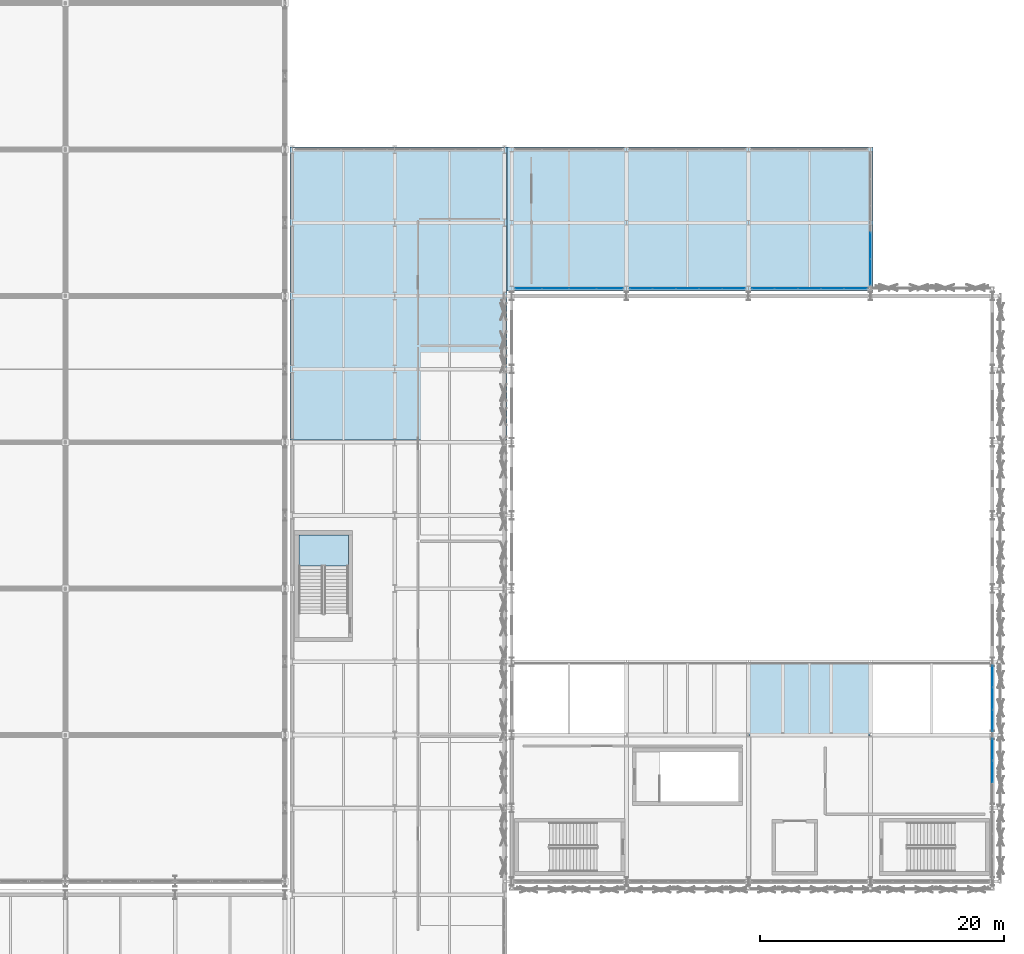
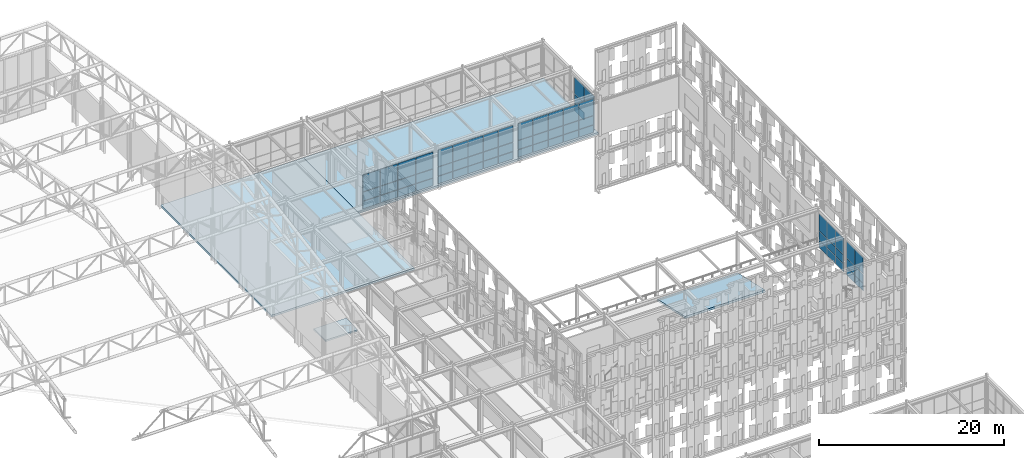
# One storey, part 196 of 239: 63 plates, 4 slabs, 7 elements without a shape of their own.
"""IFC4 building model written with IfcOpenShell, lengths in metres."""

from ifc_helpers import new_model, si_unit, direction, frame, origin, origin_2d, place, context, subcontext, project, spatial, polyline, rectangle, outline, extrude, material, layer, layer_set, type_object, element, aggregate, save


model = new_model("IFC4")

# Units and contexts
model_context = context("Model", 3, precision=1e-05, world=origin(), true_north=direction((0.0, 1.0)))
body_context = subcontext(model_context, "Body", "Model", "MODEL_VIEW")
ifc_project = project(units=[si_unit("LENGTHUNIT", "METRE"), si_unit("AREAUNIT", "SQUARE_METRE"), si_unit("VOLUMEUNIT", "CUBIC_METRE"), si_unit("PLANEANGLEUNIT", "RADIAN"), si_unit("MASSUNIT", "GRAM", prefix="KILO")], contexts=[model_context])

# Site, building, storey
site_placement = place(None, origin())
site = spatial("IfcSite", under=ifc_project, at=site_placement, CompositionType="ELEMENT")
building_placement = place(site_placement, origin())
building = spatial("IfcBuilding", under=site, at=building_placement, Name="Kaldris Quays Convention Centre", CompositionType="ELEMENT")
storey_placement = place(building_placement, frame((0.0, 0.0, 11.39990234375)))
storey = spatial("IfcBuildingStorey", under=building, at=storey_placement, Name="L02", CompositionType="ELEMENT", Elevation=11.39990234375)

# Curtain wall, plates
ifc_material_1 = material(Name="Anodized aluminium AW-6060 and triple glazing", Category="aluminium")
curtain_wall_type_1 = type_object("IfcCurtainWallType", Name="UNITISED CURTAIN WALL CW06", PredefinedType="NOTDEFINED", material=ifc_material_1)
curtain_wall_1_placement = place(storey_placement, origin())
curtain_wall_1 = element("IfcCurtainWall", 1, at=curtain_wall_1_placement, inside=storey, type_object=curtain_wall_type_1, Name="L02 Unitised Curtain Wall CW06 169", PredefinedType="NOTDEFINED")
ifc_material_2 = material(Name="Triple low-E insulated glazing", Category="glass")
plate_type_1 = type_object("IfcPlateType", Name="CURTAIN GLAZING PANEL CWP1", PredefinedType="CURTAIN_PANEL", material=ifc_material_2)
plate_1_placement = place(storey_placement, frame((175.215087890625, 104.60009765625, 0.06005859375), z_axis=(0.0, 0.0, 1.0), x_axis=(1.0, 0.0, 0.0)))
plate_1 = element("IfcPlate", 2, at=plate_1_placement, type_object=plate_type_1, Name="CW06 panel 1.1", PredefinedType="CURTAIN_PANEL", context=body_context, shape_type="SweptSolid", body=[
    extrude(rectangle(XDim=1.81005859375, YDim=0.029052734375, at=origin_2d()), origin(), (0.0, 0.0, 1.0), 0.9599609375),
])
plate_2_placement = place(storey_placement, frame((175.215087890625, 104.60009765625, 1.080078125), z_axis=(0.0, 0.0, 1.0), x_axis=(1.0, 0.0, 0.0)))
plate_2 = element("IfcPlate", 3, at=plate_2_placement, type_object=plate_type_1, Name="CW06 panel 1.2", PredefinedType="CURTAIN_PANEL", context=body_context, shape_type="SweptSolid", body=[
    extrude(rectangle(XDim=1.81005859375, YDim=0.029052734375, at=origin_2d()), origin(), (0.0, 0.0, 1.0), 1.1640625),
])
plate_3_placement = place(storey_placement, frame((175.215087890625, 104.60009765625, 2.303955078125), z_axis=(0.0, 0.0, 1.0), x_axis=(1.0, 0.0, 0.0)))
plate_3 = element("IfcPlate", 4, at=plate_3_placement, type_object=plate_type_1, Name="CW06 panel 1.3", PredefinedType="CURTAIN_PANEL", context=body_context, shape_type="SweptSolid", body=[
    extrude(rectangle(XDim=1.81005859375, YDim=0.029052734375, at=origin_2d()), origin(), (0.0, 0.0, 1.0), 2.18408203125),
])
plate_4_placement = place(storey_placement, frame((177.10009765625, 104.60009765625, 0.06005859375), z_axis=(0.0, 0.0, 1.0), x_axis=(1.0, 0.0, 0.0)))
plate_4 = element("IfcPlate", 5, at=plate_4_placement, type_object=plate_type_1, Name="CW06 panel 2.1", PredefinedType="CURTAIN_PANEL", context=body_context, shape_type="SweptSolid", body=[
    extrude(rectangle(XDim=1.840087890625, YDim=0.029052734375, at=origin_2d()), origin(), (0.0, 0.0, 1.0), 0.9599609375),
])
plate_5_placement = place(storey_placement, frame((177.10009765625, 104.60009765625, 1.080078125), z_axis=(0.0, 0.0, 1.0), x_axis=(1.0, 0.0, 0.0)))
plate_5 = element("IfcPlate", 6, at=plate_5_placement, type_object=plate_type_1, Name="CW06 panel 2.2", PredefinedType="CURTAIN_PANEL", context=body_context, shape_type="SweptSolid", body=[
    extrude(rectangle(XDim=1.840087890625, YDim=0.029052734375, at=origin_2d()), origin(), (0.0, 0.0, 1.0), 1.1640625),
])
plate_6_placement = place(storey_placement, frame((177.10009765625, 104.60009765625, 2.303955078125), z_axis=(0.0, 0.0, 1.0), x_axis=(1.0, 0.0, 0.0)))
plate_6 = element("IfcPlate", 7, at=plate_6_placement, type_object=plate_type_1, Name="CW06 panel 2.3", PredefinedType="CURTAIN_PANEL", context=body_context, shape_type="SweptSolid", body=[
    extrude(rectangle(XDim=1.840087890625, YDim=0.029052734375, at=origin_2d()), origin(), (0.0, 0.0, 1.0), 2.18408203125),
])
plate_7_placement = place(storey_placement, frame((179.0, 104.60009765625, 0.06005859375), z_axis=(0.0, 0.0, 1.0), x_axis=(1.0, 0.0, 0.0)))
plate_7 = element("IfcPlate", 8, at=plate_7_placement, type_object=plate_type_1, Name="CW06 panel 3.1", PredefinedType="CURTAIN_PANEL", context=body_context, shape_type="SweptSolid", body=[
    extrude(rectangle(XDim=1.840087890625, YDim=0.029052734375, at=origin_2d()), origin(), (0.0, 0.0, 1.0), 0.9599609375),
])
plate_8_placement = place(storey_placement, frame((179.0, 104.60009765625, 1.080078125), z_axis=(0.0, 0.0, 1.0), x_axis=(1.0, 0.0, 0.0)))
plate_8 = element("IfcPlate", 9, at=plate_8_placement, type_object=plate_type_1, Name="CW06 panel 3.2", PredefinedType="CURTAIN_PANEL", context=body_context, shape_type="SweptSolid", body=[
    extrude(rectangle(XDim=1.840087890625, YDim=0.029052734375, at=origin_2d()), origin(), (0.0, 0.0, 1.0), 1.1640625),
])
plate_9_placement = place(storey_placement, frame((179.0, 104.60009765625, 2.303955078125), z_axis=(0.0, 0.0, 1.0), x_axis=(1.0, 0.0, 0.0)))
plate_9 = element("IfcPlate", 10, at=plate_9_placement, type_object=plate_type_1, Name="CW06 panel 3.3", PredefinedType="CURTAIN_PANEL", context=body_context, shape_type="SweptSolid", body=[
    extrude(rectangle(XDim=1.840087890625, YDim=0.029052734375, at=origin_2d()), origin(), (0.0, 0.0, 1.0), 2.18408203125),
])
plate_10_placement = place(storey_placement, frame((180.89990234375, 104.60009765625, 0.06005859375), z_axis=(0.0, 0.0, 1.0), x_axis=(1.0, 0.0, 0.0)))
plate_10 = element("IfcPlate", 11, at=plate_10_placement, type_object=plate_type_1, Name="CW06 panel 4.1", PredefinedType="CURTAIN_PANEL", context=body_context, shape_type="SweptSolid", body=[
    extrude(rectangle(XDim=1.840087890625, YDim=0.029052734375, at=origin_2d()), origin(), (0.0, 0.0, 1.0), 0.9599609375),
])
plate_11_placement = place(storey_placement, frame((180.89990234375, 104.60009765625, 1.080078125), z_axis=(0.0, 0.0, 1.0), x_axis=(1.0, 0.0, 0.0)))
plate_11 = element("IfcPlate", 12, at=plate_11_placement, type_object=plate_type_1, Name="CW06 panel 4.2", PredefinedType="CURTAIN_PANEL", context=body_context, shape_type="SweptSolid", body=[
    extrude(rectangle(XDim=1.840087890625, YDim=0.029052734375, at=origin_2d()), origin(), (0.0, 0.0, 1.0), 1.1640625),
])
plate_12_placement = place(storey_placement, frame((180.89990234375, 104.60009765625, 2.303955078125), z_axis=(0.0, 0.0, 1.0), x_axis=(1.0, 0.0, 0.0)))
plate_12 = element("IfcPlate", 13, at=plate_12_placement, type_object=plate_type_1, Name="CW06 panel 4.3", PredefinedType="CURTAIN_PANEL", context=body_context, shape_type="SweptSolid", body=[
    extrude(rectangle(XDim=1.840087890625, YDim=0.029052734375, at=origin_2d()), origin(), (0.0, 0.0, 1.0), 2.18408203125),
])
plate_13_placement = place(storey_placement, frame((182.784912109375, 104.60009765625, 0.06005859375), z_axis=(0.0, 0.0, 1.0), x_axis=(1.0, 0.0, 0.0)))
plate_13 = element("IfcPlate", 14, at=plate_13_placement, type_object=plate_type_1, Name="CW06 panel 5.1", PredefinedType="CURTAIN_PANEL", context=body_context, shape_type="SweptSolid", body=[
    extrude(rectangle(XDim=1.81005859375, YDim=0.029052734375, at=origin_2d()), origin(), (0.0, 0.0, 1.0), 0.9599609375),
])
plate_14_placement = place(storey_placement, frame((182.784912109375, 104.60009765625, 1.080078125), z_axis=(0.0, 0.0, 1.0), x_axis=(1.0, 0.0, 0.0)))
plate_14 = element("IfcPlate", 15, at=plate_14_placement, type_object=plate_type_1, Name="CW06 panel 5.2", PredefinedType="CURTAIN_PANEL", context=body_context, shape_type="SweptSolid", body=[
    extrude(rectangle(XDim=1.81005859375, YDim=0.029052734375, at=origin_2d()), origin(), (0.0, 0.0, 1.0), 1.1640625),
])
plate_15_placement = place(storey_placement, frame((182.784912109375, 104.60009765625, 2.303955078125), z_axis=(0.0, 0.0, 1.0), x_axis=(1.0, 0.0, 0.0)))
plate_15 = element("IfcPlate", 16, at=plate_15_placement, type_object=plate_type_1, Name="CW06 panel 5.3", PredefinedType="CURTAIN_PANEL", context=body_context, shape_type="SweptSolid", body=[
    extrude(rectangle(XDim=1.81005859375, YDim=0.029052734375, at=origin_2d()), origin(), (0.0, 0.0, 1.0), 2.18408203125),
])
aggregate(curtain_wall_1, [plate_1, plate_2, plate_3, plate_4, plate_5, plate_6, plate_7, plate_8, plate_9, plate_10, plate_11, plate_12, plate_13, plate_14, plate_15])

curtain_wall_type_2 = type_object("IfcCurtainWallType", Name="UNITISED CURTAIN WALL CW02", PredefinedType="NOTDEFINED", material=ifc_material_1)
curtain_wall_2_placement = place(storey_placement, origin())
curtain_wall_2 = element("IfcCurtainWall", 17, at=curtain_wall_2_placement, inside=storey, type_object=curtain_wall_type_2, Name="L02 Unitised Curtain Wall CW02 34", PredefinedType="NOTDEFINED")
plate_type_2 = type_object("IfcPlateType", Name="CURTAIN GLAZING PANEL CWP2", PredefinedType="CURTAIN_PANEL", material=ifc_material_2)
plate_16_placement = place(storey_placement, frame((204.0, 65.0, 0.06005859375), z_axis=(0.0, 0.0, 1.0), x_axis=(0.0, 1.0, 0.0)))
plate_16 = element("IfcPlate", 18, at=plate_16_placement, type_object=plate_type_2, Name="CW02 panel 2.1", PredefinedType="CURTAIN_PANEL", context=body_context, shape_type="SweptSolid", body=[
    extrude(rectangle(XDim=1.7734375, YDim=0.033935546875, at=origin_2d()), origin(), (0.0, 0.0, 1.0), 0.9599609375),
])
plate_17_placement = place(storey_placement, frame((204.0, 65.0, 1.080078125), z_axis=(0.0, 0.0, 1.0), x_axis=(0.0, 1.0, 0.0)))
plate_17 = element("IfcPlate", 19, at=plate_17_placement, type_object=plate_type_2, Name="CW02 panel 2.2", PredefinedType="CURTAIN_PANEL", context=body_context, shape_type="SweptSolid", body=[
    extrude(rectangle(XDim=1.7734375, YDim=0.033935546875, at=origin_2d()), origin(), (0.0, 0.0, 1.0), 1.1640625),
])
plate_18_placement = place(storey_placement, frame((204.0, 65.0, 2.303955078125), z_axis=(0.0, 0.0, 1.0), x_axis=(0.0, 1.0, 0.0)))
plate_18 = element("IfcPlate", 20, at=plate_18_placement, type_object=plate_type_2, Name="CW02 panel 2.3", PredefinedType="CURTAIN_PANEL", context=body_context, shape_type="SweptSolid", body=[
    extrude(rectangle(XDim=1.7734375, YDim=0.033935546875, at=origin_2d()), origin(), (0.0, 0.0, 1.0), 2.18408203125),
])
plate_19_placement = place(storey_placement, frame((204.0, 66.818359375, 0.06005859375), z_axis=(0.0, 0.0, 1.0), x_axis=(0.0, 1.0, 0.0)))
plate_19 = element("IfcPlate", 21, at=plate_19_placement, type_object=plate_type_2, Name="CW02 panel 3.1", PredefinedType="CURTAIN_PANEL", context=body_context, shape_type="SweptSolid", body=[
    extrude(rectangle(XDim=1.743408203125, YDim=0.033935546875, at=origin_2d()), origin(), (0.0, 0.0, 1.0), 0.9599609375),
])
plate_20_placement = place(storey_placement, frame((204.0, 66.818359375, 1.080078125), z_axis=(0.0, 0.0, 1.0), x_axis=(0.0, 1.0, 0.0)))
plate_20 = element("IfcPlate", 22, at=plate_20_placement, type_object=plate_type_2, Name="CW02 panel 3.2", PredefinedType="CURTAIN_PANEL", context=body_context, shape_type="SweptSolid", body=[
    extrude(rectangle(XDim=1.743408203125, YDim=0.033935546875, at=origin_2d()), origin(), (0.0, 0.0, 1.0), 1.1640625),
])
plate_21_placement = place(storey_placement, frame((204.0, 66.818359375, 2.303955078125), z_axis=(0.0, 0.0, 1.0), x_axis=(0.0, 1.0, 0.0)))
plate_21 = element("IfcPlate", 23, at=plate_21_placement, type_object=plate_type_2, Name="CW02 panel 3.3", PredefinedType="CURTAIN_PANEL", context=body_context, shape_type="SweptSolid", body=[
    extrude(rectangle(XDim=1.743408203125, YDim=0.033935546875, at=origin_2d()), origin(), (0.0, 0.0, 1.0), 2.18408203125),
])
aggregate(curtain_wall_2, [plate_16, plate_17, plate_18, plate_19, plate_20, plate_21])

curtain_wall_3_placement = place(storey_placement, origin())
curtain_wall_3 = element("IfcCurtainWall", 24, at=curtain_wall_3_placement, inside=storey, type_object=curtain_wall_type_2, Name="L02 Unitised Curtain Wall CW02 35", PredefinedType="NOTDEFINED")
plate_type_3 = type_object("IfcPlateType", Name="CURTAIN GLAZING PANEL CWP3", PredefinedType="CURTAIN_PANEL", material=ifc_material_2)
plate_22_placement = place(storey_placement, frame((204.0, 69.181640625, 0.06005859375), z_axis=(0.0, 0.0, 1.0), x_axis=(0.0, 1.0, 0.0)))
plate_22 = element("IfcPlate", 25, at=plate_22_placement, type_object=plate_type_3, Name="CW02 panel 1.1", PredefinedType="CURTAIN_PANEL", context=body_context, shape_type="SweptSolid", body=[
    extrude(rectangle(XDim=1.743408203125, YDim=0.0390625, at=origin_2d()), origin(), (0.0, 0.0, 1.0), 0.9599609375),
])
plate_23_placement = place(storey_placement, frame((204.0, 69.181640625, 1.080078125), z_axis=(0.0, 0.0, 1.0), x_axis=(0.0, 1.0, 0.0)))
plate_23 = element("IfcPlate", 26, at=plate_23_placement, type_object=plate_type_3, Name="CW02 panel 1.2", PredefinedType="CURTAIN_PANEL", context=body_context, shape_type="SweptSolid", body=[
    extrude(rectangle(XDim=1.743408203125, YDim=0.0390625, at=origin_2d()), origin(), (0.0, 0.0, 1.0), 1.1640625),
])
plate_24_placement = place(storey_placement, frame((204.0, 69.181640625, 2.303955078125), z_axis=(0.0, 0.0, 1.0), x_axis=(0.0, 1.0, 0.0)))
plate_24 = element("IfcPlate", 27, at=plate_24_placement, type_object=plate_type_3, Name="CW02 panel 1.3", PredefinedType="CURTAIN_PANEL", context=body_context, shape_type="SweptSolid", body=[
    extrude(rectangle(XDim=1.743408203125, YDim=0.0390625, at=origin_2d()), origin(), (0.0, 0.0, 1.0), 2.18408203125),
])
plate_25_placement = place(storey_placement, frame((204.0, 71.0, 0.06005859375), z_axis=(0.0, 0.0, 1.0), x_axis=(0.0, 1.0, 0.0)))
plate_25 = element("IfcPlate", 28, at=plate_25_placement, type_object=plate_type_3, Name="CW02 panel 2.1", PredefinedType="CURTAIN_PANEL", context=body_context, shape_type="SweptSolid", body=[
    extrude(rectangle(XDim=1.7734375, YDim=0.0390625, at=origin_2d()), origin(), (0.0, 0.0, 1.0), 0.9599609375),
])
plate_26_placement = place(storey_placement, frame((204.0, 71.0, 1.080078125), z_axis=(0.0, 0.0, 1.0), x_axis=(0.0, 1.0, 0.0)))
plate_26 = element("IfcPlate", 29, at=plate_26_placement, type_object=plate_type_3, Name="CW02 panel 2.2", PredefinedType="CURTAIN_PANEL", context=body_context, shape_type="SweptSolid", body=[
    extrude(rectangle(XDim=1.7734375, YDim=0.0390625, at=origin_2d()), origin(), (0.0, 0.0, 1.0), 1.1640625),
])
plate_27_placement = place(storey_placement, frame((204.0, 71.0, 2.303955078125), z_axis=(0.0, 0.0, 1.0), x_axis=(0.0, 1.0, 0.0)))
plate_27 = element("IfcPlate", 30, at=plate_27_placement, type_object=plate_type_3, Name="CW02 panel 2.3", PredefinedType="CURTAIN_PANEL", context=body_context, shape_type="SweptSolid", body=[
    extrude(rectangle(XDim=1.7734375, YDim=0.0390625, at=origin_2d()), origin(), (0.0, 0.0, 1.0), 2.18408203125),
])
plate_28_placement = place(storey_placement, frame((204.0, 72.818359375, 0.06005859375), z_axis=(0.0, 0.0, 1.0), x_axis=(0.0, 1.0, 0.0)))
plate_28 = element("IfcPlate", 31, at=plate_28_placement, type_object=plate_type_3, Name="CW02 panel 3.1", PredefinedType="CURTAIN_PANEL", context=body_context, shape_type="SweptSolid", body=[
    extrude(rectangle(XDim=1.743408203125, YDim=0.0390625, at=origin_2d()), origin(), (0.0, 0.0, 1.0), 0.9599609375),
])
plate_29_placement = place(storey_placement, frame((204.0, 72.818359375, 1.080078125), z_axis=(0.0, 0.0, 1.0), x_axis=(0.0, 1.0, 0.0)))
plate_29 = element("IfcPlate", 32, at=plate_29_placement, type_object=plate_type_3, Name="CW02 panel 3.2", PredefinedType="CURTAIN_PANEL", context=body_context, shape_type="SweptSolid", body=[
    extrude(rectangle(XDim=1.743408203125, YDim=0.0390625, at=origin_2d()), origin(), (0.0, 0.0, 1.0), 1.1640625),
])
plate_30_placement = place(storey_placement, frame((204.0, 72.818359375, 2.303955078125), z_axis=(0.0, 0.0, 1.0), x_axis=(0.0, 1.0, 0.0)))
plate_30 = element("IfcPlate", 33, at=plate_30_placement, type_object=plate_type_3, Name="CW02 panel 3.3", PredefinedType="CURTAIN_PANEL", context=body_context, shape_type="SweptSolid", body=[
    extrude(rectangle(XDim=1.743408203125, YDim=0.0390625, at=origin_2d()), origin(), (0.0, 0.0, 1.0), 2.18408203125),
])
aggregate(curtain_wall_3, [plate_22, plate_23, plate_24, plate_25, plate_26, plate_27, plate_28, plate_29, plate_30])

curtain_wall_4_placement = place(storey_placement, origin())
curtain_wall_4 = element("IfcCurtainWall", 34, at=curtain_wall_4_placement, inside=storey, type_object=curtain_wall_type_1, Name="L02 Unitised Curtain Wall CW06 171", PredefinedType="NOTDEFINED")
plate_31_placement = place(storey_placement, frame((185.215087890625, 104.60009765625, 0.06005859375), z_axis=(0.0, 0.0, 1.0), x_axis=(1.0, 0.0, 0.0)))
plate_31 = element("IfcPlate", 35, at=plate_31_placement, type_object=plate_type_3, Name="CW06 panel 1.1", PredefinedType="CURTAIN_PANEL", context=body_context, shape_type="SweptSolid", body=[
    extrude(rectangle(XDim=1.81005859375, YDim=0.0390625, at=origin_2d()), origin(), (0.0, 0.0, 1.0), 0.9599609375),
])
plate_32_placement = place(storey_placement, frame((185.215087890625, 104.60009765625, 1.080078125), z_axis=(0.0, 0.0, 1.0), x_axis=(1.0, 0.0, 0.0)))
plate_32 = element("IfcPlate", 36, at=plate_32_placement, type_object=plate_type_3, Name="CW06 panel 1.2", PredefinedType="CURTAIN_PANEL", context=body_context, shape_type="SweptSolid", body=[
    extrude(rectangle(XDim=1.81005859375, YDim=0.0390625, at=origin_2d()), origin(), (0.0, 0.0, 1.0), 1.1640625),
])
plate_33_placement = place(storey_placement, frame((185.215087890625, 104.60009765625, 2.303955078125), z_axis=(0.0, 0.0, 1.0), x_axis=(1.0, 0.0, 0.0)))
plate_33 = element("IfcPlate", 37, at=plate_33_placement, type_object=plate_type_3, Name="CW06 panel 1.3", PredefinedType="CURTAIN_PANEL", context=body_context, shape_type="SweptSolid", body=[
    extrude(rectangle(XDim=1.81005859375, YDim=0.0390625, at=origin_2d()), origin(), (0.0, 0.0, 1.0), 2.18408203125),
])
plate_34_placement = place(storey_placement, frame((187.10009765625, 104.60009765625, 0.06005859375), z_axis=(0.0, 0.0, 1.0), x_axis=(1.0, 0.0, 0.0)))
plate_34 = element("IfcPlate", 38, at=plate_34_placement, type_object=plate_type_3, Name="CW06 panel 2.1", PredefinedType="CURTAIN_PANEL", context=body_context, shape_type="SweptSolid", body=[
    extrude(rectangle(XDim=1.840087890625, YDim=0.0390625, at=origin_2d()), origin(), (0.0, 0.0, 1.0), 0.9599609375),
])
plate_35_placement = place(storey_placement, frame((187.10009765625, 104.60009765625, 1.080078125), z_axis=(0.0, 0.0, 1.0), x_axis=(1.0, 0.0, 0.0)))
plate_35 = element("IfcPlate", 39, at=plate_35_placement, type_object=plate_type_3, Name="CW06 panel 2.2", PredefinedType="CURTAIN_PANEL", context=body_context, shape_type="SweptSolid", body=[
    extrude(rectangle(XDim=1.840087890625, YDim=0.0390625, at=origin_2d()), origin(), (0.0, 0.0, 1.0), 1.1640625),
])
plate_36_placement = place(storey_placement, frame((187.10009765625, 104.60009765625, 2.303955078125), z_axis=(0.0, 0.0, 1.0), x_axis=(1.0, 0.0, 0.0)))
plate_36 = element("IfcPlate", 40, at=plate_36_placement, type_object=plate_type_3, Name="CW06 panel 2.3", PredefinedType="CURTAIN_PANEL", context=body_context, shape_type="SweptSolid", body=[
    extrude(rectangle(XDim=1.840087890625, YDim=0.0390625, at=origin_2d()), origin(), (0.0, 0.0, 1.0), 2.18408203125),
])
plate_37_placement = place(storey_placement, frame((189.0, 104.60009765625, 0.06005859375), z_axis=(0.0, 0.0, 1.0), x_axis=(1.0, 0.0, 0.0)))
plate_37 = element("IfcPlate", 41, at=plate_37_placement, type_object=plate_type_3, Name="CW06 panel 3.1", PredefinedType="CURTAIN_PANEL", context=body_context, shape_type="SweptSolid", body=[
    extrude(rectangle(XDim=1.840087890625, YDim=0.0390625, at=origin_2d()), origin(), (0.0, 0.0, 1.0), 0.9599609375),
])
plate_38_placement = place(storey_placement, frame((189.0, 104.60009765625, 1.080078125), z_axis=(0.0, 0.0, 1.0), x_axis=(1.0, 0.0, 0.0)))
plate_38 = element("IfcPlate", 42, at=plate_38_placement, type_object=plate_type_3, Name="CW06 panel 3.2", PredefinedType="CURTAIN_PANEL", context=body_context, shape_type="SweptSolid", body=[
    extrude(rectangle(XDim=1.840087890625, YDim=0.0390625, at=origin_2d()), origin(), (0.0, 0.0, 1.0), 1.1640625),
])
plate_39_placement = place(storey_placement, frame((189.0, 104.60009765625, 2.303955078125), z_axis=(0.0, 0.0, 1.0), x_axis=(1.0, 0.0, 0.0)))
plate_39 = element("IfcPlate", 43, at=plate_39_placement, type_object=plate_type_3, Name="CW06 panel 3.3", PredefinedType="CURTAIN_PANEL", context=body_context, shape_type="SweptSolid", body=[
    extrude(rectangle(XDim=1.840087890625, YDim=0.0390625, at=origin_2d()), origin(), (0.0, 0.0, 1.0), 2.18408203125),
])
plate_40_placement = place(storey_placement, frame((190.89990234375, 104.60009765625, 0.06005859375), z_axis=(0.0, 0.0, 1.0), x_axis=(1.0, 0.0, 0.0)))
plate_40 = element("IfcPlate", 44, at=plate_40_placement, type_object=plate_type_3, Name="CW06 panel 4.1", PredefinedType="CURTAIN_PANEL", context=body_context, shape_type="SweptSolid", body=[
    extrude(rectangle(XDim=1.840087890625, YDim=0.0390625, at=origin_2d()), origin(), (0.0, 0.0, 1.0), 0.9599609375),
])
plate_41_placement = place(storey_placement, frame((190.89990234375, 104.60009765625, 1.080078125), z_axis=(0.0, 0.0, 1.0), x_axis=(1.0, 0.0, 0.0)))
plate_41 = element("IfcPlate", 45, at=plate_41_placement, type_object=plate_type_3, Name="CW06 panel 4.2", PredefinedType="CURTAIN_PANEL", context=body_context, shape_type="SweptSolid", body=[
    extrude(rectangle(XDim=1.840087890625, YDim=0.0390625, at=origin_2d()), origin(), (0.0, 0.0, 1.0), 1.1640625),
])
plate_42_placement = place(storey_placement, frame((190.89990234375, 104.60009765625, 2.303955078125), z_axis=(0.0, 0.0, 1.0), x_axis=(1.0, 0.0, 0.0)))
plate_42 = element("IfcPlate", 46, at=plate_42_placement, type_object=plate_type_3, Name="CW06 panel 4.3", PredefinedType="CURTAIN_PANEL", context=body_context, shape_type="SweptSolid", body=[
    extrude(rectangle(XDim=1.840087890625, YDim=0.0390625, at=origin_2d()), origin(), (0.0, 0.0, 1.0), 2.18408203125),
])
plate_43_placement = place(storey_placement, frame((192.784912109375, 104.60009765625, 0.06005859375), z_axis=(0.0, 0.0, 1.0), x_axis=(1.0, 0.0, 0.0)))
plate_43 = element("IfcPlate", 47, at=plate_43_placement, type_object=plate_type_3, Name="CW06 panel 5.1", PredefinedType="CURTAIN_PANEL", context=body_context, shape_type="SweptSolid", body=[
    extrude(rectangle(XDim=1.81005859375, YDim=0.0390625, at=origin_2d()), origin(), (0.0, 0.0, 1.0), 0.9599609375),
])
plate_44_placement = place(storey_placement, frame((192.784912109375, 104.60009765625, 1.080078125), z_axis=(0.0, 0.0, 1.0), x_axis=(1.0, 0.0, 0.0)))
plate_44 = element("IfcPlate", 48, at=plate_44_placement, type_object=plate_type_3, Name="CW06 panel 5.2", PredefinedType="CURTAIN_PANEL", context=body_context, shape_type="SweptSolid", body=[
    extrude(rectangle(XDim=1.81005859375, YDim=0.0390625, at=origin_2d()), origin(), (0.0, 0.0, 1.0), 1.1640625),
])
plate_45_placement = place(storey_placement, frame((192.784912109375, 104.60009765625, 2.303955078125), z_axis=(0.0, 0.0, 1.0), x_axis=(1.0, 0.0, 0.0)))
plate_45 = element("IfcPlate", 49, at=plate_45_placement, type_object=plate_type_3, Name="CW06 panel 5.3", PredefinedType="CURTAIN_PANEL", context=body_context, shape_type="SweptSolid", body=[
    extrude(rectangle(XDim=1.81005859375, YDim=0.0390625, at=origin_2d()), origin(), (0.0, 0.0, 1.0), 2.18408203125),
])
aggregate(curtain_wall_4, [plate_31, plate_32, plate_33, plate_34, plate_35, plate_36, plate_37, plate_38, plate_39, plate_40, plate_41, plate_42, plate_43, plate_44, plate_45])

curtain_wall_5_placement = place(storey_placement, origin())
curtain_wall_5 = element("IfcCurtainWall", 50, at=curtain_wall_5_placement, inside=storey, type_object=curtain_wall_type_1, Name="L02 Unitised Curtain Wall CW06 172", PredefinedType="NOTDEFINED")
plate_type_4 = type_object("IfcPlateType", Name="CURTAIN GLAZING PANEL CWP4", PredefinedType="CURTAIN_PANEL", material=ifc_material_2)
plate_46_placement = place(storey_placement, frame((194.0, 105.955078125, 0.06005859375), z_axis=(0.0, 0.0, 1.0), x_axis=(0.0, 1.0, 0.0)))
plate_46 = element("IfcPlate", 51, at=plate_46_placement, type_object=plate_type_4, Name="CW06 panel 1.1", PredefinedType="CURTAIN_PANEL", context=body_context, shape_type="SweptSolid", body=[
    extrude(rectangle(XDim=2.090087890625, YDim=0.0439453125, at=origin_2d()), origin(), (0.0, 0.0, 1.0), 0.9599609375),
])
plate_47_placement = place(storey_placement, frame((194.0, 105.955078125, 1.080078125), z_axis=(0.0, 0.0, 1.0), x_axis=(0.0, 1.0, 0.0)))
plate_47 = element("IfcPlate", 52, at=plate_47_placement, type_object=plate_type_4, Name="CW06 panel 1.2", PredefinedType="CURTAIN_PANEL", context=body_context, shape_type="SweptSolid", body=[
    extrude(rectangle(XDim=2.090087890625, YDim=0.0439453125, at=origin_2d()), origin(), (0.0, 0.0, 1.0), 1.1640625),
])
plate_48_placement = place(storey_placement, frame((194.0, 105.955078125, 2.303955078125), z_axis=(0.0, 0.0, 1.0), x_axis=(0.0, 1.0, 0.0)))
plate_48 = element("IfcPlate", 53, at=plate_48_placement, type_object=plate_type_4, Name="CW06 panel 1.3", PredefinedType="CURTAIN_PANEL", context=body_context, shape_type="SweptSolid", body=[
    extrude(rectangle(XDim=2.090087890625, YDim=0.0439453125, at=origin_2d()), origin(), (0.0, 0.0, 1.0), 2.18408203125),
])
plate_49_placement = place(storey_placement, frame((194.0, 108.1201171875, 0.06005859375), z_axis=(0.0, 0.0, 1.0), x_axis=(0.0, 1.0, 0.0)))
plate_49 = element("IfcPlate", 54, at=plate_49_placement, type_object=plate_type_4, Name="CW06 panel 2.1", PredefinedType="CURTAIN_PANEL", context=body_context, shape_type="SweptSolid", body=[
    extrude(rectangle(XDim=2.1201171875, YDim=0.0439453125, at=origin_2d()), origin(), (0.0, 0.0, 1.0), 0.9599609375),
])
plate_50_placement = place(storey_placement, frame((194.0, 108.1201171875, 1.080078125), z_axis=(0.0, 0.0, 1.0), x_axis=(0.0, 1.0, 0.0)))
plate_50 = element("IfcPlate", 55, at=plate_50_placement, type_object=plate_type_4, Name="CW06 panel 2.2", PredefinedType="CURTAIN_PANEL", context=body_context, shape_type="SweptSolid", body=[
    extrude(rectangle(XDim=2.1201171875, YDim=0.0439453125, at=origin_2d()), origin(), (0.0, 0.0, 1.0), 1.1640625),
])
plate_51_placement = place(storey_placement, frame((194.0, 108.1201171875, 2.303955078125), z_axis=(0.0, 0.0, 1.0), x_axis=(0.0, 1.0, 0.0)))
plate_51 = element("IfcPlate", 56, at=plate_51_placement, type_object=plate_type_4, Name="CW06 panel 2.3", PredefinedType="CURTAIN_PANEL", context=body_context, shape_type="SweptSolid", body=[
    extrude(rectangle(XDim=2.1201171875, YDim=0.0439453125, at=origin_2d()), origin(), (0.0, 0.0, 1.0), 2.18408203125),
])
aggregate(curtain_wall_5, [plate_46, plate_47, plate_48, plate_49, plate_50, plate_51])

curtain_wall_6_placement = place(storey_placement, origin())
curtain_wall_6 = element("IfcCurtainWall", 57, at=curtain_wall_6_placement, inside=storey, type_object=curtain_wall_type_1, Name="L02 Unitised Curtain Wall CW06 167", PredefinedType="NOTDEFINED")
plate_type_5 = type_object("IfcPlateType", Name="CURTAIN GLAZING PANEL CWP7", PredefinedType="CURTAIN_PANEL", material=ifc_material_2)
plate_52_placement = place(storey_placement, frame((165.9775390625, 104.60009765625, 0.06005859375), z_axis=(0.0, 0.0, 1.0), x_axis=(1.0, 0.0, 0.0)))
plate_52 = element("IfcPlate", 58, at=plate_52_placement, type_object=plate_type_5, Name="CW06 panel 1.1", PredefinedType="CURTAIN_PANEL", context=body_context, shape_type="SweptSolid", body=[
    extrude(rectangle(XDim=2.135009765625, YDim=0.05908203125, at=origin_2d()), origin(), (0.0, 0.0, 1.0), 0.9599609375),
])
plate_53_placement = place(storey_placement, frame((165.9775390625, 104.60009765625, 1.080078125), z_axis=(0.0, 0.0, 1.0), x_axis=(1.0, 0.0, 0.0)))
plate_53 = element("IfcPlate", 59, at=plate_53_placement, type_object=plate_type_5, Name="CW06 panel 1.2", PredefinedType="CURTAIN_PANEL", context=body_context, shape_type="SweptSolid", body=[
    extrude(rectangle(XDim=2.135009765625, YDim=0.05908203125, at=origin_2d()), origin(), (0.0, 0.0, 1.0), 1.1640625),
])
plate_54_placement = place(storey_placement, frame((165.9775390625, 104.60009765625, 2.303955078125), z_axis=(0.0, 0.0, 1.0), x_axis=(1.0, 0.0, 0.0)))
plate_54 = element("IfcPlate", 60, at=plate_54_placement, type_object=plate_type_5, Name="CW06 panel 1.3", PredefinedType="CURTAIN_PANEL", context=body_context, shape_type="SweptSolid", body=[
    extrude(rectangle(XDim=2.135009765625, YDim=0.05908203125, at=origin_2d()), origin(), (0.0, 0.0, 1.0), 2.18408203125),
])
plate_55_placement = place(storey_placement, frame((168.1875, 104.60009765625, 0.06005859375), z_axis=(0.0, 0.0, 1.0), x_axis=(1.0, 0.0, 0.0)))
plate_55 = element("IfcPlate", 61, at=plate_55_placement, type_object=plate_type_5, Name="CW06 panel 2.1", PredefinedType="CURTAIN_PANEL", context=body_context, shape_type="SweptSolid", body=[
    extrude(rectangle(XDim=2.1650390625, YDim=0.05908203125, at=origin_2d()), origin(), (0.0, 0.0, 1.0), 0.9599609375),
])
plate_56_placement = place(storey_placement, frame((168.1875, 104.60009765625, 1.080078125), z_axis=(0.0, 0.0, 1.0), x_axis=(1.0, 0.0, 0.0)))
plate_56 = element("IfcPlate", 62, at=plate_56_placement, type_object=plate_type_5, Name="CW06 panel 2.2", PredefinedType="CURTAIN_PANEL", context=body_context, shape_type="SweptSolid", body=[
    extrude(rectangle(XDim=2.1650390625, YDim=0.05908203125, at=origin_2d()), origin(), (0.0, 0.0, 1.0), 1.1640625),
])
plate_57_placement = place(storey_placement, frame((168.1875, 104.60009765625, 2.303955078125), z_axis=(0.0, 0.0, 1.0), x_axis=(1.0, 0.0, 0.0)))
plate_57 = element("IfcPlate", 63, at=plate_57_placement, type_object=plate_type_5, Name="CW06 panel 2.3", PredefinedType="CURTAIN_PANEL", context=body_context, shape_type="SweptSolid", body=[
    extrude(rectangle(XDim=2.1650390625, YDim=0.05908203125, at=origin_2d()), origin(), (0.0, 0.0, 1.0), 2.18408203125),
])
plate_58_placement = place(storey_placement, frame((170.41259765625, 104.60009765625, 0.06005859375), z_axis=(0.0, 0.0, 1.0), x_axis=(1.0, 0.0, 0.0)))
plate_58 = element("IfcPlate", 64, at=plate_58_placement, type_object=plate_type_5, Name="CW06 panel 3.1", PredefinedType="CURTAIN_PANEL", context=body_context, shape_type="SweptSolid", body=[
    extrude(rectangle(XDim=2.1650390625, YDim=0.05908203125, at=origin_2d()), origin(), (0.0, 0.0, 1.0), 0.9599609375),
])
plate_59_placement = place(storey_placement, frame((170.41259765625, 104.60009765625, 1.080078125), z_axis=(0.0, 0.0, 1.0), x_axis=(1.0, 0.0, 0.0)))
plate_59 = element("IfcPlate", 65, at=plate_59_placement, type_object=plate_type_5, Name="CW06 panel 3.2", PredefinedType="CURTAIN_PANEL", context=body_context, shape_type="SweptSolid", body=[
    extrude(rectangle(XDim=2.1650390625, YDim=0.05908203125, at=origin_2d()), origin(), (0.0, 0.0, 1.0), 1.1640625),
])
plate_60_placement = place(storey_placement, frame((170.41259765625, 104.60009765625, 2.303955078125), z_axis=(0.0, 0.0, 1.0), x_axis=(1.0, 0.0, 0.0)))
plate_60 = element("IfcPlate", 66, at=plate_60_placement, type_object=plate_type_5, Name="CW06 panel 3.3", PredefinedType="CURTAIN_PANEL", context=body_context, shape_type="SweptSolid", body=[
    extrude(rectangle(XDim=2.1650390625, YDim=0.05908203125, at=origin_2d()), origin(), (0.0, 0.0, 1.0), 2.18408203125),
])
plate_61_placement = place(storey_placement, frame((172.62255859375, 104.60009765625, 0.06005859375), z_axis=(0.0, 0.0, 1.0), x_axis=(1.0, 0.0, 0.0)))
plate_61 = element("IfcPlate", 67, at=plate_61_placement, type_object=plate_type_5, Name="CW06 panel 4.1", PredefinedType="CURTAIN_PANEL", context=body_context, shape_type="SweptSolid", body=[
    extrude(rectangle(XDim=2.135009765625, YDim=0.05908203125, at=origin_2d()), origin(), (0.0, 0.0, 1.0), 0.9599609375),
])
plate_62_placement = place(storey_placement, frame((172.62255859375, 104.60009765625, 1.080078125), z_axis=(0.0, 0.0, 1.0), x_axis=(1.0, 0.0, 0.0)))
plate_62 = element("IfcPlate", 68, at=plate_62_placement, type_object=plate_type_5, Name="CW06 panel 4.2", PredefinedType="CURTAIN_PANEL", context=body_context, shape_type="SweptSolid", body=[
    extrude(rectangle(XDim=2.135009765625, YDim=0.05908203125, at=origin_2d()), origin(), (0.0, 0.0, 1.0), 1.1640625),
])
plate_63_placement = place(storey_placement, frame((172.62255859375, 104.60009765625, 2.303955078125), z_axis=(0.0, 0.0, 1.0), x_axis=(1.0, 0.0, 0.0)))
plate_63 = element("IfcPlate", 69, at=plate_63_placement, type_object=plate_type_5, Name="CW06 panel 4.3", PredefinedType="CURTAIN_PANEL", context=body_context, shape_type="SweptSolid", body=[
    extrude(rectangle(XDim=2.135009765625, YDim=0.05908203125, at=origin_2d()), origin(), (0.0, 0.0, 1.0), 2.18408203125),
])
aggregate(curtain_wall_6, [plate_52, plate_53, plate_54, plate_55, plate_56, plate_57, plate_58, plate_59, plate_60, plate_61, plate_62, plate_63])

# Stair, slab
ifc_material_3 = material(Name="Concrete C35/45", Category="concrete")
stair_type = type_object("IfcStairType", Name="DOGLEG ESCAPE STAIR STF1", PredefinedType="TWO_STRAIGHT_RUN_STAIR", material=ifc_material_3)
stair_placement = place(storey_placement, origin())
stair = element("IfcStair", 70, at=stair_placement, inside=storey, type_object=stair_type, Name="L02 Escape Stair ST14", PredefinedType="TWO_STRAIGHT_RUN_STAIR")
ifc_layer_1 = layer(ifc_material_3, 0.205078125)
ifc_layer_set_1 = layer_set([ifc_layer_1], Name="Concrete C35/45")
slab_type_1 = type_object("IfcSlabType", Name="STAIR LANDING SLAB LS01", PredefinedType="LANDING", material=ifc_layer_set_1)
slab_1_placement = place(storey_placement, frame((0.0, 0.0, 2.4951171875)))
slab_1 = element("IfcSlab", 71, at=slab_1_placement, type_object=slab_type_1, Name="STF1 landing 1", PredefinedType="LANDING", context=body_context, shape_type="SweptSolid", body=[
    extrude(outline(polyline([(151.199951171875, 81.8701171875), (151.199951171875, 84.39990234375), (147.14990234375, 84.39990234375), (147.14990234375, 81.8701171875), (151.199951171875, 81.8701171875)])), origin(), (0.0, 0.0, 1.0), 0.205078125),
])
aggregate(stair, [slab_1])

# Slabs
ifc_layer_2 = layer(ifc_material_3, 0.2548828125)
ifc_layer_set_2 = layer_set([ifc_layer_2], Name="Concrete C35/45")
slab_type_2 = type_object("IfcSlabType", Name="STRUCTURAL SLAB FS06", PredefinedType="FLOOR", material=ifc_layer_set_2)
slab_2_placement = place(storey_placement, frame((0.0, 0.0, -0.2548828125)))
element("IfcSlab", 72, at=slab_2_placement, inside=storey, type_object=slab_type_2, Name="L02 V4 L02 East 3 SLAB-L02-V4E-3", PredefinedType="FLOOR", context=body_context, shape_type="SweptSolid", body=[
    extrude(outline(polyline([(146.39990234375, 116.199951171875), (164.199951171875, 116.199951171875), (164.199951171875, 92.201904296875), (146.39990234375, 92.201904296875), (146.39990234375, 116.199951171875)])), origin(), (0.0, 0.0, 1.0), 0.2548828125),
])
slab_3_placement = place(storey_placement, frame((0.0, 0.0, -0.2548828125)))
element("IfcSlab", 73, at=slab_3_placement, inside=storey, type_object=slab_type_2, Name="L02 V4 L02 NE SLAB-L02-V4NE", PredefinedType="FLOOR", context=body_context, shape_type="SweptSolid", body=[
    extrude(outline(polyline([(194.199951171875, 116.199951171875), (194.199951171875, 104.39990234375), (164.201904296875, 104.39990234375), (164.201904296875, 116.199951171875), (194.199951171875, 116.199951171875)])), origin(), (0.0, 0.0, 1.0), 0.2548828125),
])
ifc_material_4 = material(Name="Precast concrete C40/50", Category="concrete")
ifc_layer_3 = layer(ifc_material_4, 0.248046875)
ifc_layer_set_3 = layer_set([ifc_layer_3], Name="Precast concrete C40/50")
slab_type_3 = type_object("IfcSlabType", Name="STRUCTURAL SLAB TS02", PredefinedType="USERDEFINED", material=ifc_layer_set_3)
slab_4_placement = place(storey_placement, frame((184.0, 68.0, 1.35009765625), z_axis=(0.0, 0.219527308966, 0.97560635536), x_axis=(1.0, 0.0, 0.0)))
element("IfcSlab", 74, at=slab_4_placement, inside=storey, type_object=slab_type_3, Name="Stand Upper Balcony Tier 2", ObjectType="SEATING TIER", PredefinedType="USERDEFINED", context=body_context, shape_type="SweptSolid", body=[
    extrude(outline(polyline([(0.0, 0.0), (10.0, 0.0), (10.0, 6.150021437475787), (0.0, 6.150021437475787), (0.0, 0.0)])), origin(), (0.0, 0.0, -1.0), 0.248046875),
])

save(model, "model.ifc")
